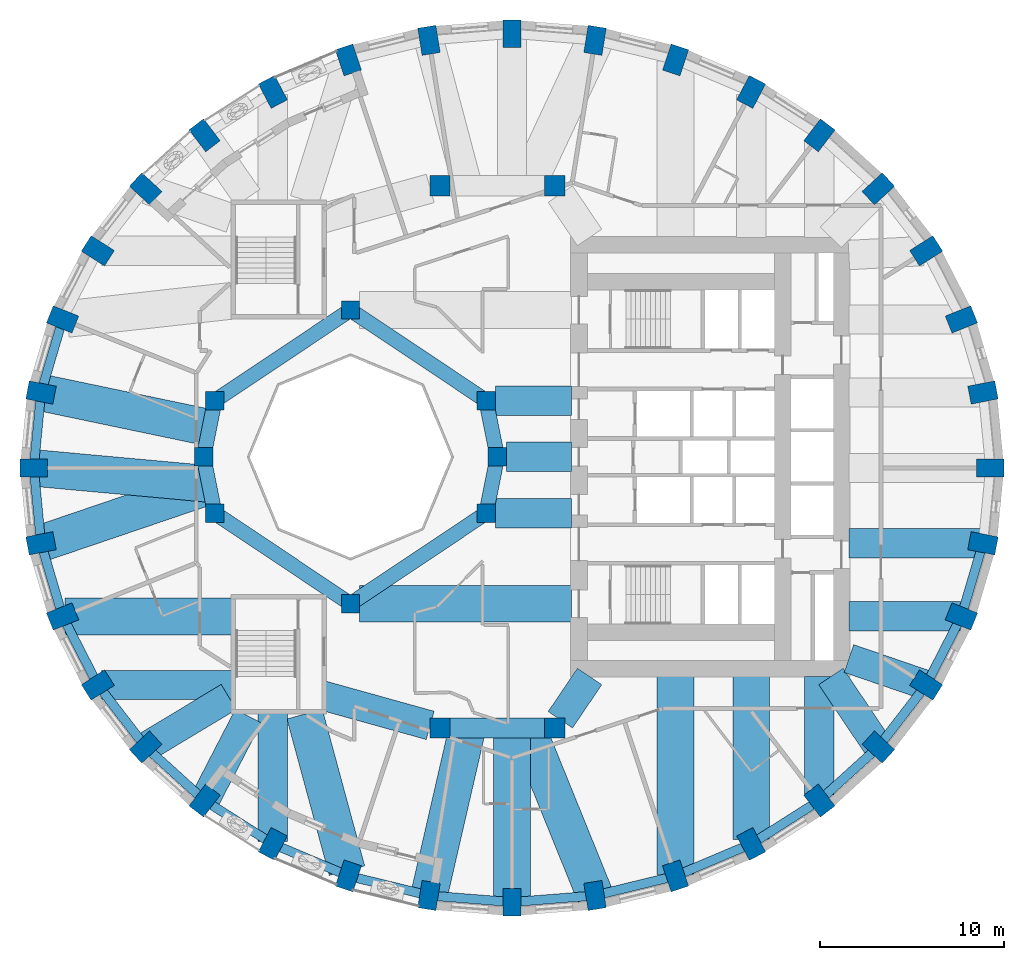
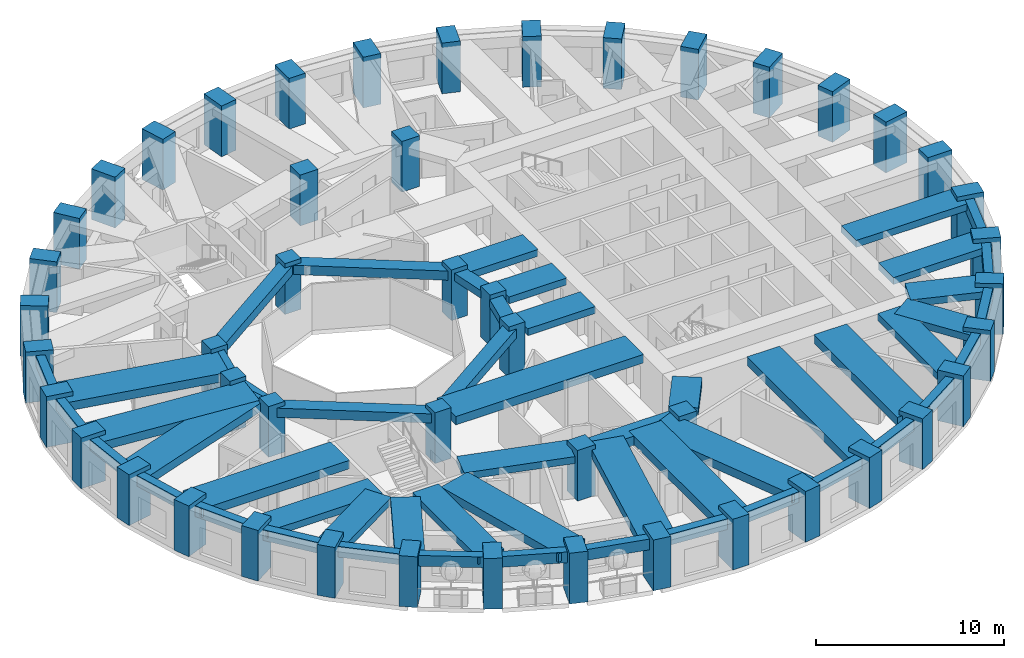
# One storey, part 1 of 12: 53 beams, 48 columns.
"""IFC4 building model written with IfcOpenShell, lengths in metres."""

import ifcopenshell
import ifcopenshell.guid

model = None  # the IFC model being written
_history = None  # IfcOwnerHistory: only IFC2X3 demands one
_inside = {}  # id of a spatial element -> (the spatial element, [elements in it])
_under = {}  # id of a project, library or spatial element -> (it, [spatial elements below it])
_declared = {}  # id of a project -> (the project, [libraries it declares])
_typed = {}  # id of a type object -> (the type object, [elements of that type])
_made_of = {}  # id of a material, layer set ... -> (it, [elements and type objects made of it])


def new_model(schema):
    """Start an empty IFC model of exactly this schema.

    Asked for "IFC4X3", IfcOpenShell would pick the latest addendum, in which some entities
    have other attributes; the version numbers below select the first issue.
    IFC2X3 requires an IfcOwnerHistory on every rooted entity: one is made here for all.
    """
    global model, _history
    if schema == "IFC4X3":
        model = ifcopenshell.file(schema_version=(4, 3, 0, 0))
    else:
        model = ifcopenshell.file(schema=schema)
    _inside.clear()
    _under.clear()
    _declared.clear()
    _typed.clear()
    _made_of.clear()
    _history = None
    if model.schema == "IFC2X3":
        org = make("IfcOrganization", Name="unknown")
        user = make(
            "IfcPersonAndOrganization",
            ThePerson=make("IfcPerson", FamilyName="unknown"),
            TheOrganization=org,
        )
        app = make(
            "IfcApplication",
            ApplicationDeveloper=org,
            Version="unknown",
            ApplicationFullName="unknown",
            ApplicationIdentifier="unknown",
        )
        _history = make(
            "IfcOwnerHistory",
            OwningUser=user,
            OwningApplication=app,
            ChangeAction="ADDED",
            CreationDate=0,
        )
    return model


def make(cls, **values):
    """One entity of the class cls with the attributes given. An attribute that is None is left unset."""
    return model.create_entity(
        cls, **{name: value for name, value in values.items() if value is not None}
    )


def rooted(cls, **values):
    """An entity with a GlobalId (a new one), such as an element, a storey or a relation."""
    return make(cls, GlobalId=ifcopenshell.guid.new(), OwnerHistory=_history, **values)


def si_unit(unit_type, name, prefix=None):
    """IfcSIUnit, for example si_unit("LENGTHUNIT", "METRE", prefix="MILLI")."""
    return make("IfcSIUnit", UnitType=unit_type, Prefix=prefix, Name=name)


def assignment(units):
    """IfcUnitAssignment: the units of a project."""
    return None if units is None else make("IfcUnitAssignment", Units=units)


def point(xyz):
    """IfcCartesianPoint."""
    return None if xyz is None else make("IfcCartesianPoint", Coordinates=xyz)


def direction(xyz):
    """IfcDirection."""
    return None if xyz is None else make("IfcDirection", DirectionRatios=xyz)


def frame(location, z_axis=None, x_axis=None):
    """IfcAxis2Placement3D, a coordinate frame: its origin and axes. An axis left out is left unset."""
    return make(
        "IfcAxis2Placement3D",
        Location=point(location),
        Axis=direction(z_axis),
        RefDirection=direction(x_axis),
    )


def frame_2d(location, x_axis=None):
    """IfcAxis2Placement2D, a coordinate frame in the plane: its origin and x axis."""
    return make(
        "IfcAxis2Placement2D", Location=point(location), RefDirection=direction(x_axis)
    )


def origin():
    """The frame at (0, 0, 0) with its axes left unset."""
    return frame((0.0, 0.0, 0.0))


def origin_2d():
    """The frame at (0, 0) in the plane with its x axis left unset."""
    return frame_2d((0.0, 0.0))


def place(relative_to, where):
    """IfcLocalPlacement: puts the frame where relative to a parent placement (None: the world)."""
    return make(
        "IfcLocalPlacement", PlacementRelTo=relative_to, RelativePlacement=where
    )


def context(
    kind, dimensions, precision=None, world=None, true_north=None, identifier=None
):
    """IfcGeometricRepresentationContext, for example the 3D "Model" context."""
    return make(
        "IfcGeometricRepresentationContext",
        ContextIdentifier=identifier,
        ContextType=kind,
        CoordinateSpaceDimension=dimensions,
        Precision=precision,
        WorldCoordinateSystem=world,
        TrueNorth=true_north,
    )


def subcontext(parent, identifier, kind, view, scale=None):
    """IfcGeometricRepresentationSubContext, for example "Body" below "Model"."""
    return make(
        "IfcGeometricRepresentationSubContext",
        ContextIdentifier=identifier,
        ContextType=kind,
        ParentContext=parent,
        TargetScale=scale,
        TargetView=view,
    )


def project(units=None, contexts=None):
    """IfcProject with its units and contexts."""
    return rooted(
        "IfcProject",
        Name="project",
        RepresentationContexts=contexts,
        UnitsInContext=assignment(units),
    )


def spatial(cls, under=None, at=None, **own):
    """A site, building, storey or space (cls), placed at a placement, below another one or the project."""
    s = rooted(cls, ObjectPlacement=at, **own)
    if under is not None:
        _under.setdefault(under.id(), (under, []))[1].append(s)
    return s


def profile(cls, at=None, kind="AREA", **sizes):
    """A parametric profile (cls). Its sizes go by their IFC names, for example OverallWidth=200.0."""
    return make(cls, ProfileType=kind, Position=at, **sizes)


def rectangle(**sizes):
    """IfcRectangleProfileDef."""
    return profile("IfcRectangleProfileDef", **sizes)


def extrude(swept, where, along, depth):
    """IfcExtrudedAreaSolid: the profile swept, set in the frame where, extruded along a direction by depth."""
    return make(
        "IfcExtrudedAreaSolid",
        SweptArea=swept,
        Position=where,
        ExtrudedDirection=direction(along),
        Depth=depth,
    )


def shape(context_of_items, identifier, shape_type, items):
    """IfcShapeRepresentation: the items that make up one representation, for example the "Body"."""
    return make(
        "IfcShapeRepresentation",
        ContextOfItems=context_of_items,
        RepresentationIdentifier=identifier,
        RepresentationType=shape_type,
        Items=items,
    )


def material(Name=None, Category=None):
    """IfcMaterial."""
    return make("IfcMaterial", Name=Name, Category=Category)


def material_profile(
    of_material, cross_section, Name=None, Category=None, Priority=None
):
    """IfcMaterialProfile: a cross section and its material."""
    return make(
        "IfcMaterialProfile",
        Name=Name,
        Material=of_material,
        Profile=cross_section,
        Priority=Priority,
        Category=Category,
    )


def profile_set(profiles, Name=None, composite=None):
    """IfcMaterialProfileSet."""
    return make(
        "IfcMaterialProfileSet",
        Name=Name,
        MaterialProfiles=profiles,
        CompositeProfile=composite,
    )


def made_of(thing, what):
    """Note that an element or type object is made of a material, layer set ...; save() writes the relation."""
    if what is not None:
        _made_of.setdefault(what.id(), (what, []))[1].append(thing)
    return thing


def type_object(cls, material=None, **own):
    """A type object (cls), such as IfcWallType, which elements share."""
    return made_of(rooted(cls, **own), material)


def element(
    cls,
    number,
    at=None,
    inside=None,
    cuts=None,
    type_object=None,
    material=None,
    context=None,
    identifier="Body",
    shape_type=None,
    held_by="IfcProductDefinitionShape",
    body=None,
    shapes=None,
    **own,
):
    """One element of the class cls, such as IfcWall. Its Tag is "e" and its number.

    at: its placement. inside: the storey or other place that contains it. cuts: it is an
    opening in that element (IfcRelVoidsElement). A single representation is given by context,
    identifier, shape_type and body (its items); several are given by shapes. held_by: the class
    of the entity that holds the representations. save() writes the other relations.
    """
    e = rooted(cls, Tag="e%d" % number, ObjectPlacement=at, **own)
    if body is not None:
        shapes = [shape(context, identifier, shape_type, body)]
    if shapes is not None:
        e.Representation = make(held_by, Representations=shapes)
    if inside is not None:
        _inside.setdefault(inside.id(), (inside, []))[1].append(e)
    if cuts is not None:
        rooted(
            "IfcRelVoidsElement", RelatingBuildingElement=cuts, RelatedOpeningElement=e
        )
    if type_object is not None:
        _typed.setdefault(type_object.id(), (type_object, []))[1].append(e)
    return made_of(e, material)


def aggregate(whole, parts):
    """IfcRelAggregates: a whole, such as a stair, and the parts it consists of."""
    return rooted("IfcRelAggregates", RelatingObject=whole, RelatedObjects=parts)


def save(model, path):
    """Write the relations noted so far, then the file.

    IfcRelAggregates (storeys below a building ...), IfcRelContainedInSpatialStructure (elements
    in a storey), IfcRelDefinesByType, IfcRelAssociatesMaterial and IfcRelDeclares: one each for
    every whole, place, type object, material and project.
    """
    for whole, parts in _under.values():
        aggregate(whole, parts)
    for where, things in _inside.values():
        rooted(
            "IfcRelContainedInSpatialStructure",
            RelatedElements=things,
            RelatingStructure=where,
        )
    for kind, things in _typed.values():
        rooted("IfcRelDefinesByType", RelatedObjects=things, RelatingType=kind)
    for what, things in _made_of.values():
        rooted("IfcRelAssociatesMaterial", RelatedObjects=things, RelatingMaterial=what)
    for by, libraries in _declared.values():
        rooted("IfcRelDeclares", RelatingContext=by, RelatedDefinitions=libraries)
    model.write(path)


model = new_model("IFC4")

# Units and contexts
model_context = context("Model", 3, precision=1e-05, world=origin(), true_north=direction((0.0, 1.0)))
body_context = subcontext(model_context, "Body", "Model", "MODEL_VIEW")
ifc_project = project(units=[si_unit("LENGTHUNIT", "METRE"), si_unit("AREAUNIT", "SQUARE_METRE"), si_unit("VOLUMEUNIT", "CUBIC_METRE"), si_unit("PLANEANGLEUNIT", "RADIAN"), si_unit("MASSUNIT", "GRAM", prefix="KILO")], contexts=[model_context])

# Site, building, storey
site_placement = place(None, origin())
site = spatial("IfcSite", under=ifc_project, at=site_placement, CompositionType="ELEMENT")
building_placement = place(site_placement, origin())
building = spatial("IfcBuilding", under=site, at=building_placement, Name="Taillehof Tower", CompositionType="ELEMENT")
storey_placement = place(building_placement, frame((0.0, 0.0, 125.199951171875)))
storey = spatial("IfcBuildingStorey", under=building, at=storey_placement, Name="L35", CompositionType="ELEMENT", Elevation=125.199951171875)

# Columns
ifc_material_1 = material(Name="Concrete C50/60", Category="concrete")
ifc_material_profile_1 = material_profile(ifc_material_1, rectangle(XDim=1.0, YDim=1.0, at=origin_2d()), Name="RC 1000x1000")
ifc_profile_set_1 = profile_set([ifc_material_profile_1], Name="Concrete C50/60")
column_type_1 = type_object("IfcColumnType", Name="Atrium ring column C50/60 1000x1000", PredefinedType="COLUMN", material=ifc_profile_set_1)
for number, where, z_axis, x_axis, name in (
    (1, (0.0, 0.0, 0.0), (0.0, 0.0, 1.0), (1.0, 0.0, 0.0), "Column AC01"),
    (2, (-0.60888671875, 3.0615234375, 0.0), (0.0, 0.0, 1.0), (1.0, 0.0, 0.0), "Column AC02"),
    (3, (-8.0, 8.0, 0.0), (0.0, 0.0, 1.0), (1.0, 0.0, 0.0), "Column AC05"),
    (4, (-15.39111328125, 3.0615234375, 0.0), (0.0, 0.0, 1.0), (1.0, 0.0, 0.0), "Column AC08"),
    (5, (-16.0, 0.0, 0.0), (0.0, 0.0, 1.0), (1.0, 0.0, 0.0), "Column AC09"),
    (6, (-15.39111328125, -3.0615234375, 0.0), (0.0, 0.0, 1.0), (1.0, 0.0, 0.0), "Column AC10"),
    (7, (-8.0, -8.0, 0.0), (0.0, 0.0, 1.0), (1.0, 0.0, 0.0), "Column AC13"),
    (8, (-0.60888671875, -3.0615234375, 0.0), (0.0, 0.0, 1.0), (1.0, 0.0, 0.0), "Column AC16"),
):
    element("IfcColumn", number, at=place(storey_placement, frame(where, z_axis=z_axis, x_axis=x_axis)), inside=storey, type_object=column_type_1, Name=name, PredefinedType="COLUMN", context=body_context, shape_type="SweptSolid", body=[
        extrude(rectangle(XDim=1.0, YDim=1.0, at=origin_2d()), origin(), (0.0, 0.0, 1.0), 3.300048828125),
    ])
ifc_material_2 = material(Name="Concrete C50/60", Category="concrete")
ifc_material_profile_2 = material_profile(ifc_material_2, rectangle(XDim=1.10009765625, YDim=1.10009765625, at=origin_2d()), Name="RC 1100x1100")
ifc_profile_set_2 = profile_set([ifc_material_profile_2], Name="Concrete C50/60")
column_type_2 = type_object("IfcColumnType", Name="Mid-ring column C50/60 1100x1100", PredefinedType="COLUMN", material=ifc_profile_set_2)
for number, where, z_axis, x_axis, name in (
    (9, (3.125732421875, 14.772216796875, 0.0), (0.0, 0.0, 1.0), (1.0, 0.0, 0.0), "Column MC05"),
    (10, (-3.125732421875, 14.772216796875, 0.0), (0.0, 0.0, 1.0), (1.0, 0.0, 0.0), "Column MC06"),
    (11, (-3.125732421875, -14.772216796875, 0.0), (0.0, 0.0, 1.0), (1.0, 0.0, 0.0), "Column MC14"),
    (12, (3.125732421875, -14.772216796875, 0.0), (0.0, 0.0, 1.0), (1.0, 0.0, 0.0), "Column MC15"),
):
    element("IfcColumn", number, at=place(storey_placement, frame(where, z_axis=z_axis, x_axis=x_axis)), inside=storey, type_object=column_type_2, Name=name, PredefinedType="COLUMN", context=body_context, shape_type="SweptSolid", body=[
        extrude(rectangle(XDim=1.10009765625, YDim=1.10009765625, at=origin_2d()), origin(), (0.0, 0.0, 1.0), 3.300048828125),
    ])
ifc_material_3 = material(Name="Concrete C70/85", Category="concrete")
ifc_material_profile_3 = material_profile(ifc_material_3, rectangle(XDim=1.5, YDim=1.0, at=origin_2d()), Name="RC 1500x1000")
ifc_profile_set_3 = profile_set([ifc_material_profile_3], Name="Concrete C70/85")
column_type_3 = type_object("IfcColumnType", Name="Ring column C70/85 1500x1000", PredefinedType="COLUMN", material=ifc_profile_set_3)
for number, where, z_axis, x_axis, name in (
    (13, (26.85009765625, -0.60009765625, 0.0), (0.0, 0.0, 1.0), (1.0, 0.0, 0.0), "Ring column RC01"),
    (14, (26.454345703125, 3.5068359375, 0.0), (0.0, 0.0, 1.0), (0.981757466121, 0.190137523166, 0.0), "Ring column RC02"),
    (15, (25.279052734375, 7.48876953125, 0.0), (0.0, 0.0, 1.0), (0.928550110352, 0.371207075048, 0.0), "Ring column RC03"),
    (16, (23.35986328125, 11.22509765625, 0.0), (0.0, 0.0, 1.0), (0.844511454562, 0.535537489923, 0.0), "Ring column RC04"),
    (17, (20.75537109375, 14.60205078125, 0.0), (0.0, 0.0, 1.0), (0.735332034083, 0.677707016085, 0.0), "Ring column RC05"),
    (18, (17.544677734375, 17.516845703125, 0.0), (0.0, 0.0, 1.0), (0.607074228939, 0.794645128694, 0.0), "Ring column RC06"),
    (19, (13.824951171875, 19.881591796875, 0.0), (0.0, 0.0, 1.0), (0.465283017627, 0.885161970211, 0.0), "Ring column RC07"),
    (20, (9.709716796875, 21.623779296875, 0.0), (0.0, 0.0, 1.0), (0.314554972703, 0.949239258116, 0.0), "Ring column RC08"),
    (21, (5.323486328125, 22.690673828125, 0.0), (0.0, 0.0, 1.0), (0.158507038215, 0.987357847407, 0.0), "Ring column RC09"),
    (22, (0.800048828125, 23.050048828125, 0.0), (0.0, 0.0, 1.0), (0.0, 1.0, 0.0), "Ring column RC10"),
    (23, (-3.7236328125, 22.690673828125, 0.0), (0.0, 0.0, 1.0), (-0.158507038215, 0.987357847407, 0.0), "Ring column RC11"),
    (24, (-8.109619140625, 21.623779296875, 0.0), (0.0, 0.0, 1.0), (-0.314554972703, 0.949239258116, 0.0), "Ring column RC12"),
    (25, (-12.22509765625, 19.881591796875, 0.0), (0.0, 0.0, 1.0), (-0.465283017627, 0.885161970211, 0.0), "Ring column RC13"),
    (26, (-15.944580078125, 17.516845703125, 0.0), (0.0, 0.0, 1.0), (-0.607074228939, 0.794645128694, 0.0), "Ring column RC14"),
    (27, (-19.155517578125, 14.60205078125, 0.0), (0.0, 0.0, 1.0), (-0.735332034083, 0.677707016085, 0.0), "Ring column RC15"),
    (28, (-21.760009765625, 11.22509765625, 0.0), (0.0, 0.0, 1.0), (-0.844511454562, 0.535537489923, 0.0), "Ring column RC16"),
    (29, (-23.678955078125, 7.48876953125, 0.0), (0.0, 0.0, 1.0), (-0.928550110352, 0.371207075048, 0.0), "Ring column RC17"),
    (30, (-24.854248046875, 3.5068359375, 0.0), (0.0, 0.0, 1.0), (-0.981757466121, 0.190137523166, 0.0), "Ring column RC18"),
    (31, (-25.25, -0.60009765625, 0.0), (0.0, 0.0, 1.0), (-1.0, 0.0, 0.0), "Ring column RC19"),
    (32, (-24.854248046875, -4.706787109375, 0.0), (0.0, 0.0, 1.0), (-0.981757466121, -0.190137523166, 0.0), "Ring column RC20"),
    (33, (-23.678955078125, -8.688720703125, 0.0), (0.0, 0.0, 1.0), (-0.928550110352, -0.371207075048, 0.0), "Ring column RC21"),
    (34, (-21.760009765625, -12.425048828125, 0.0), (0.0, 0.0, 1.0), (-0.844511454562, -0.535537489923, 0.0), "Ring column RC22"),
    (35, (-19.155517578125, -15.802001953125, 0.0), (0.0, 0.0, 1.0), (-0.735332034083, -0.677707016085, 0.0), "Ring column RC23"),
    (36, (-15.944580078125, -18.717041015625, 0.0), (0.0, 0.0, 1.0), (-0.607074228939, -0.794645128694, 0.0), "Ring column RC24"),
    (37, (-12.22509765625, -21.08154296875, 0.0), (0.0, 0.0, 1.0), (-0.465283017627, -0.885161970211, 0.0), "Ring column RC25"),
    (38, (-8.109619140625, -22.82373046875, 0.0), (0.0, 0.0, 1.0), (-0.314554972703, -0.949239258116, 0.0), "Ring column RC26"),
    (39, (-3.7236328125, -23.890625, 0.0), (0.0, 0.0, 1.0), (-0.158507038215, -0.987357847407, 0.0), "Ring column RC27"),
    (40, (0.800048828125, -24.25, 0.0), (0.0, 0.0, 1.0), (0.0, -1.0, 0.0), "Ring column RC28"),
    (41, (5.323486328125, -23.890625, 0.0), (0.0, 0.0, 1.0), (0.158507038215, -0.987357847407, 0.0), "Ring column RC29"),
    (42, (9.709716796875, -22.82373046875, 0.0), (0.0, 0.0, 1.0), (0.314554972703, -0.949239258116, 0.0), "Ring column RC30"),
    (43, (13.824951171875, -21.08154296875, 0.0), (0.0, 0.0, 1.0), (0.465283017627, -0.885161970211, 0.0), "Ring column RC31"),
    (44, (17.544677734375, -18.717041015625, 0.0), (0.0, 0.0, 1.0), (0.607074228939, -0.794645128694, 0.0), "Ring column RC32"),
    (45, (20.75537109375, -15.802001953125, 0.0), (0.0, 0.0, 1.0), (0.735332034083, -0.677707016085, 0.0), "Ring column RC33"),
    (46, (23.35986328125, -12.425048828125, 0.0), (0.0, 0.0, 1.0), (0.844511454562, -0.535537489923, 0.0), "Ring column RC34"),
    (47, (25.279052734375, -8.688720703125, 0.0), (0.0, 0.0, 1.0), (0.928550110352, -0.371207075048, 0.0), "Ring column RC35"),
    (48, (26.454345703125, -4.706787109375, 0.0), (0.0, 0.0, 1.0), (0.981757466121, -0.190137523166, 0.0), "Ring column RC36"),
):
    element("IfcColumn", number, at=place(storey_placement, frame(where, z_axis=z_axis, x_axis=x_axis)), inside=storey, type_object=column_type_3, Name=name, PredefinedType="COLUMN", context=body_context, shape_type="SweptSolid", body=[
        extrude(rectangle(XDim=1.5, YDim=1.0, at=origin_2d()), origin(), (0.0, 0.0, 1.0), 3.300048828125),
    ])

# Beams
ifc_material_4 = material(Name="Concrete C50/60", Category="concrete")
ifc_material_profile_4 = material_profile(ifc_material_4, rectangle(XDim=0.800048828125, YDim=0.5, at=origin_2d()), Name="RC 800x500")
ifc_profile_set_4 = profile_set([ifc_material_profile_4], Name="Concrete C50/60")
beam_type_1 = type_object("IfcBeamType", Name="Atrium ring beam C50/60 800x500", PredefinedType="BEAM", material=ifc_profile_set_4)
for number, where, z_axis, x_axis, name in (
    (49, (0.0, 0.0, 2.77001953125), (-0.195063155143, 0.980790683839, 0.0), (-0.980790683839, -0.195063155143, 0.0), "Atrium ring beam AB01"),
    (50, (-15.39111328125, 3.0615234375, 2.77001953125), (-0.195063155143, -0.980790683839, 0.0), (0.980790683839, -0.195063155143, 0.0), "Atrium ring beam AB04"),
    (51, (-16.0, 0.0, 2.77001953125), (0.195063155143, -0.980790683839, 0.0), (0.980790683839, 0.195063155143, 0.0), "Atrium ring beam AB05"),
    (52, (-0.60888671875, -3.0615234375, 2.77001953125), (0.195063155143, 0.980790683839, 0.0), (-0.980790683839, 0.195063155143, 0.0), "Atrium ring beam AB08"),
):
    element("IfcBeam", number, at=place(storey_placement, frame(where, z_axis=z_axis, x_axis=x_axis)), inside=storey, type_object=beam_type_1, Name=name, PredefinedType="BEAM", context=body_context, shape_type="SweptSolid", body=[
        extrude(rectangle(XDim=0.800048828125, YDim=0.5, at=origin_2d()), origin(), (0.0, 0.0, 1.0), 3.12158203125),
    ])
ifc_material_5 = material(Name="Concrete C50/60", Category="concrete")
ifc_material_profile_5 = material_profile(ifc_material_5, rectangle(XDim=0.800048828125, YDim=0.60009765625, at=origin_2d()), Name="RC 800x600")
ifc_profile_set_5 = profile_set([ifc_material_profile_5], Name="Concrete C50/60")
beam_type_2 = type_object("IfcBeamType", Name="Atrium ring beam C50/60 800x600", PredefinedType="BEAM", material=ifc_profile_set_5)
for number, where, z_axis, x_axis, name in (
    (53, (-0.60888671875, 3.0615234375, 2.719970703125), (-0.831475195687, 0.555561876804, 0.0), (-0.555561876804, -0.831475195687, 0.0), "Atrium ring beam AB02"),
    (54, (-8.0, 8.0, 2.719970703125), (-0.831475195687, -0.555561876804, 0.0), (0.555561876804, -0.831475195687, 0.0), "Atrium ring beam AB03"),
    (55, (-15.39111328125, -3.0615234375, 2.719970703125), (0.831475195687, -0.555561876804, 0.0), (0.555561876804, 0.831475195687, 0.0), "Atrium ring beam AB06"),
    (56, (-8.0, -8.0, 2.719970703125), (0.831475195687, 0.555561876804, 0.0), (-0.555561876804, 0.831475195687, 0.0), "Atrium ring beam AB07"),
):
    element("IfcBeam", number, at=place(storey_placement, frame(where, z_axis=z_axis, x_axis=x_axis)), inside=storey, type_object=beam_type_2, Name=name, PredefinedType="BEAM", context=body_context, shape_type="SweptSolid", body=[
        extrude(rectangle(XDim=0.800048828125, YDim=0.60009765625, at=origin_2d()), origin(), (0.0, 0.0, 1.0), 8.88916015625),
    ])
ifc_material_6 = material(Name="Concrete C50/60", Category="concrete")
ifc_material_profile_6 = material_profile(ifc_material_6, rectangle(XDim=1.10009765625, YDim=0.60009765625, at=origin_2d()), Name="RC 1100x600")
ifc_profile_set_6 = profile_set([ifc_material_profile_6], Name="Concrete C50/60")
beam_type_3 = type_object("IfcBeamType", Name="Mid-ring beam C50/60 1100x600", PredefinedType="BEAM", material=ifc_profile_set_6)
beam_1_placement = place(storey_placement, frame((-3.125732421875, -14.772216796875, 2.719970703125), z_axis=(1.0, 0.0, 0.0), x_axis=(0.0, 1.0, 0.0)))
element("IfcBeam", 57, at=beam_1_placement, inside=storey, type_object=beam_type_3, Name="Mid-ring beam MB02", PredefinedType="BEAM", context=body_context, shape_type="SweptSolid", body=[
    extrude(rectangle(XDim=1.10009765625, YDim=0.60009765625, at=origin_2d()), origin(), (0.0, 0.0, 1.0), 6.25146484375),
])
ifc_material_7 = material(Name="Concrete C50/60", Category="concrete")
ifc_material_profile_7 = material_profile(ifc_material_7, rectangle(XDim=1.60009765625, YDim=0.449951171875, at=origin_2d()), Name="RC 1600x450")
ifc_profile_set_7 = profile_set([ifc_material_profile_7], Name="Concrete C50/60")
beam_type_4 = type_object("IfcBeamType", Name="Radial band beam C50/60 1600x450", PredefinedType="BEAM", material=ifc_profile_set_7)
beam_2_placement = place(storey_placement, frame((-21.54736328125, -12.425048828125, 2.795166015625), z_axis=(1.0, 0.0, 0.0), x_axis=(0.0, 1.0, 0.0)))
element("IfcBeam", 58, at=beam_2_placement, inside=storey, type_object=beam_type_4, Name="Radial band beam RB22", PredefinedType="BEAM", context=body_context, shape_type="SweptSolid", body=[
    extrude(rectangle(XDim=1.60009765625, YDim=0.449951171875, at=origin_2d()), origin(), (0.0, 0.0, 1.0), 7.097412109375),
])
beam_3_placement = place(storey_placement, frame((-19.155517578125, -15.802001953125, 2.795166015625), z_axis=(0.856794973818, 0.515657224171, 0.0), x_axis=(-0.515657224171, 0.856794973818, 0.0)))
element("IfcBeam", 59, at=beam_3_placement, inside=storey, type_object=beam_type_4, Name="Radial band beam RB23", PredefinedType="BEAM", context=body_context, shape_type="SweptSolid", body=[
    extrude(rectangle(XDim=1.60009765625, YDim=0.449951171875, at=origin_2d()), origin(), (0.0, 0.0, 1.0), 5.28369140625),
])
beam_4_placement = place(storey_placement, frame((-15.944580078125, -18.717041015625, 2.795166015625), z_axis=(0.460119038647, 0.8878572353, 0.0), x_axis=(-0.8878572353, 0.460119038647, 0.0)))
element("IfcBeam", 60, at=beam_4_placement, inside=storey, type_object=beam_type_4, Name="Radial band beam RB24", PredefinedType="BEAM", context=body_context, shape_type="SweptSolid", body=[
    extrude(rectangle(XDim=1.60009765625, YDim=0.449951171875, at=origin_2d()), origin(), (0.0, 0.0, 1.0), 5.1796875),
])
beam_5_placement = place(storey_placement, frame((-12.22509765625, -20.9443359375, 2.795166015625), z_axis=(0.0, 1.0, 0.0), x_axis=(-1.0, 0.0, 0.0)))
element("IfcBeam", 61, at=beam_5_placement, inside=storey, type_object=beam_type_4, Name="Radial band beam RB25", PredefinedType="BEAM", context=body_context, shape_type="SweptSolid", body=[
    extrude(rectangle(XDim=1.60009765625, YDim=0.449951171875, at=origin_2d()), origin(), (0.0, 0.0, 1.0), 6.994384765625),
])
beam_6_placement = place(storey_placement, frame((17.544677734375, -18.421875, 2.795166015625), z_axis=(0.0, 1.0, 0.0), x_axis=(-1.0, 0.0, 0.0)))
element("IfcBeam", 62, at=beam_6_placement, inside=storey, type_object=beam_type_4, Name="Radial band beam RB32", PredefinedType="BEAM", context=body_context, shape_type="SweptSolid", body=[
    extrude(rectangle(XDim=1.60009765625, YDim=0.449951171875, at=origin_2d()), origin(), (0.0, 0.0, 1.0), 6.471923828125),
])
beam_7_placement = place(storey_placement, frame((20.75537109375, -15.802001953125, 2.795166015625), z_axis=(-0.557822939952, 0.829959979555, 0.0), x_axis=(-0.829959979555, -0.557822939952, 0.0)))
element("IfcBeam", 63, at=beam_7_placement, inside=storey, type_object=beam_type_4, Name="Radial band beam RB33", PredefinedType="BEAM", context=body_context, shape_type="SweptSolid", body=[
    extrude(rectangle(XDim=1.60009765625, YDim=0.449951171875, at=origin_2d()), origin(), (0.0, 0.0, 1.0), 4.630859375),
])
beam_8_placement = place(storey_placement, frame((23.35986328125, -12.425048828125, 2.795166015625), z_axis=(-0.946037817118, 0.324056242932, 0.0), x_axis=(-0.324056242932, -0.946037817118, 0.0)))
element("IfcBeam", 64, at=beam_8_placement, inside=storey, type_object=beam_type_4, Name="Radial band beam RB34", PredefinedType="BEAM", context=body_context, shape_type="SweptSolid", body=[
    extrude(rectangle(XDim=1.60009765625, YDim=0.449951171875, at=origin_2d()), origin(), (0.0, 0.0, 1.0), 4.447265625),
])
beam_9_placement = place(storey_placement, frame((25.2275390625, -8.688720703125, 2.795166015625), z_axis=(-1.0, 0.0, 0.0), x_axis=(0.0, -1.0, 0.0)))
element("IfcBeam", 65, at=beam_9_placement, inside=storey, type_object=beam_type_4, Name="Radial band beam RB35", PredefinedType="BEAM", context=body_context, shape_type="SweptSolid", body=[
    extrude(rectangle(XDim=1.60009765625, YDim=0.449951171875, at=origin_2d()), origin(), (0.0, 0.0, 1.0), 6.07763671875),
])
beam_10_placement = place(storey_placement, frame((26.454345703125, -4.706787109375, 2.795166015625), z_axis=(-1.0, 0.0, 0.0), x_axis=(0.0, -1.0, 0.0)))
element("IfcBeam", 66, at=beam_10_placement, inside=storey, type_object=beam_type_4, Name="Radial band beam RB36", PredefinedType="BEAM", context=body_context, shape_type="SweptSolid", body=[
    extrude(rectangle(XDim=1.60009765625, YDim=0.449951171875, at=origin_2d()), origin(), (0.0, 0.0, 1.0), 7.304443359375),
])
beam_11_placement = place(storey_placement, frame((0.5, 0.0, 2.795166015625), z_axis=(1.0, 0.0, 0.0), x_axis=(0.0, 1.0, 0.0)))
element("IfcBeam", 67, at=beam_11_placement, inside=storey, type_object=beam_type_4, Name="Inner band beam IB101", PredefinedType="BEAM", context=body_context, shape_type="SweptSolid", body=[
    extrude(rectangle(XDim=1.60009765625, YDim=0.449951171875, at=origin_2d()), origin(), (0.0, 0.0, 1.0), 3.550048828125),
])
for number, where, z_axis, x_axis, name in (
    (68, (-0.10888671875, 3.0615234375, 2.795166015625), (1.0, 0.0, 0.0), (0.0, 1.0, 0.0), "Inner band beam IB102"),
    (69, (-0.10888671875, -3.0615234375, 2.795166015625), (1.0, 0.0, 0.0), (0.0, 1.0, 0.0), "Inner band beam IB116"),
):
    element("IfcBeam", number, at=place(storey_placement, frame(where, z_axis=z_axis, x_axis=x_axis)), inside=storey, type_object=beam_type_4, Name=name, PredefinedType="BEAM", context=body_context, shape_type="SweptSolid", body=[
        extrude(rectangle(XDim=1.60009765625, YDim=0.449951171875, at=origin_2d()), origin(), (0.0, 0.0, 1.0), 4.158935546875),
    ])
beam_12_placement = place(storey_placement, frame((-3.655517578125, -14.624755859375, 2.795166015625), z_axis=(-0.963459369536, 0.267854518821, 0.0), x_axis=(-0.267854518821, -0.963459369536, 0.0)))
element("IfcBeam", 70, at=beam_12_placement, inside=storey, type_object=beam_type_4, Name="Inner band beam IB214", PredefinedType="BEAM", context=body_context, shape_type="SweptSolid", body=[
    extrude(rectangle(XDim=1.60009765625, YDim=0.449951171875, at=origin_2d()), origin(), (0.0, 0.0, 1.0), 6.096923828125),
])
beam_13_placement = place(storey_placement, frame((3.433837890625, -14.31640625, 2.795166015625), z_axis=(0.560112043398, 0.828416862962, 0.0), x_axis=(-0.828416862962, 0.560112043398, 0.0)))
element("IfcBeam", 71, at=beam_13_placement, inside=storey, type_object=beam_type_4, Name="Inner band beam IB215", PredefinedType="BEAM", context=body_context, shape_type="SweptSolid", body=[
    extrude(rectangle(XDim=1.60009765625, YDim=0.449951171875, at=origin_2d()), origin(), (0.0, 0.0, 1.0), 2.84619140625),
])
ifc_material_8 = material(Name="Concrete C50/60", Category="concrete")
ifc_material_profile_8 = material_profile(ifc_material_8, rectangle(XDim=2.0, YDim=0.550048828125, at=origin_2d()), Name="RC 2000x550")
ifc_profile_set_8 = profile_set([ifc_material_profile_8], Name="Concrete C50/60")
beam_type_5 = type_object("IfcBeamType", Name="Radial band beam C50/60 2000x550", PredefinedType="BEAM", material=ifc_profile_set_8)
beam_14_placement = place(storey_placement, frame((-24.854248046875, 3.5068359375, 2.7451171875), z_axis=(0.978853404319, -0.204562980164, 0.0), x_axis=(0.204562980164, 0.978853404319, 0.0)))
element("IfcBeam", 72, at=beam_14_placement, inside=storey, type_object=beam_type_5, Name="Radial band beam RB18", PredefinedType="BEAM", context=body_context, shape_type="SweptSolid", body=[
    extrude(rectangle(XDim=2.0, YDim=0.550048828125, at=origin_2d()), origin(), (0.0, 0.0, 1.0), 9.36865234375),
])
beam_15_placement = place(storey_placement, frame((-25.25, -0.60009765625, 2.7451171875), z_axis=(0.995859515154, -0.090905588816, 0.0), x_axis=(0.090905588816, 0.995859515154, 0.0)))
element("IfcBeam", 73, at=beam_15_placement, inside=storey, type_object=beam_type_5, Name="Radial band beam RB19", PredefinedType="BEAM", context=body_context, shape_type="SweptSolid", body=[
    extrude(rectangle(XDim=2.0, YDim=0.550048828125, at=origin_2d()), origin(), (0.0, 0.0, 1.0), 9.58251953125),
])
beam_16_placement = place(storey_placement, frame((-24.854248046875, -4.706787109375, 2.7451171875), z_axis=(0.946822052625, 0.321757673822, 0.0), x_axis=(-0.321757673822, 0.946822052625, 0.0)))
element("IfcBeam", 74, at=beam_16_placement, inside=storey, type_object=beam_type_5, Name="Radial band beam RB20", PredefinedType="BEAM", context=body_context, shape_type="SweptSolid", body=[
    extrude(rectangle(XDim=2.0, YDim=0.550048828125, at=origin_2d()), origin(), (0.0, 0.0, 1.0), 9.685791015625),
])
beam_17_placement = place(storey_placement, frame((-23.54736328125, -8.688720703125, 2.7451171875), z_axis=(1.0, 0.0, 0.0), x_axis=(0.0, 1.0, 0.0)))
element("IfcBeam", 75, at=beam_17_placement, inside=storey, type_object=beam_type_5, Name="Radial band beam RB21", PredefinedType="BEAM", context=body_context, shape_type="SweptSolid", body=[
    extrude(rectangle(XDim=2.0, YDim=0.550048828125, at=origin_2d()), origin(), (0.0, 0.0, 1.0), 9.097412109375),
])
beam_18_placement = place(storey_placement, frame((-8.186767578125, -22.539306640625, 2.7451171875), z_axis=(-0.261461600872, 0.965213878511, 0.0), x_axis=(-0.965213878511, -0.261461600872, 0.0)))
element("IfcBeam", 76, at=beam_18_placement, inside=storey, type_object=beam_type_5, Name="Radial band beam RB26", PredefinedType="BEAM", context=body_context, shape_type="SweptSolid", body=[
    extrude(rectangle(XDim=2.0, YDim=0.550048828125, at=origin_2d()), origin(), (0.0, 0.0, 1.0), 8.835205078125),
])
beam_19_placement = place(storey_placement, frame((-3.7236328125, -23.890625, 2.7451171875), z_axis=(0.224215346781, 0.974539623755, 0.0), x_axis=(-0.974539623755, 0.224215346781, 0.0)))
element("IfcBeam", 77, at=beam_19_placement, inside=storey, type_object=beam_type_5, Name="Radial band beam RB27", PredefinedType="BEAM", context=body_context, shape_type="SweptSolid", body=[
    extrude(rectangle(XDim=2.0, YDim=0.550048828125, at=origin_2d()), origin(), (0.0, 0.0, 1.0), 9.356689453125),
])
beam_20_placement = place(storey_placement, frame((0.800048828125, -24.25, 2.7451171875), z_axis=(0.0, 1.0, 0.0), x_axis=(-1.0, 0.0, 0.0)))
element("IfcBeam", 78, at=beam_20_placement, inside=storey, type_object=beam_type_5, Name="Radial band beam RB28", PredefinedType="BEAM", context=body_context, shape_type="SweptSolid", body=[
    extrude(rectangle(XDim=2.0, YDim=0.550048828125, at=origin_2d()), origin(), (0.0, 0.0, 1.0), 9.477783203125),
])
beam_21_placement = place(storey_placement, frame((5.323486328125, -23.890625, 2.7451171875), z_axis=(-0.375801287916, 0.926700270854, 0.0), x_axis=(-0.926700270854, -0.375801287916, 0.0)))
element("IfcBeam", 79, at=beam_21_placement, inside=storey, type_object=beam_type_5, Name="Radial band beam RB29", PredefinedType="BEAM", context=body_context, shape_type="SweptSolid", body=[
    extrude(rectangle(XDim=2.0, YDim=0.550048828125, at=origin_2d()), origin(), (0.0, 0.0, 1.0), 9.839599609375),
])
beam_22_placement = place(storey_placement, frame((9.709716796875, -22.756591796875, 2.7451171875), z_axis=(0.0, 1.0, 0.0), x_axis=(-1.0, 0.0, 0.0)))
element("IfcBeam", 80, at=beam_22_placement, inside=storey, type_object=beam_type_5, Name="Radial band beam RB30", PredefinedType="BEAM", context=body_context, shape_type="SweptSolid", body=[
    extrude(rectangle(XDim=2.0, YDim=0.550048828125, at=origin_2d()), origin(), (0.0, 0.0, 1.0), 10.806640625),
])
beam_23_placement = place(storey_placement, frame((13.824951171875, -20.839599609375, 2.7451171875), z_axis=(0.0, 1.0, 0.0), x_axis=(-1.0, 0.0, 0.0)))
element("IfcBeam", 81, at=beam_23_placement, inside=storey, type_object=beam_type_5, Name="Radial band beam RB31", PredefinedType="BEAM", context=body_context, shape_type="SweptSolid", body=[
    extrude(rectangle(XDim=2.0, YDim=0.550048828125, at=origin_2d()), origin(), (0.0, 0.0, 1.0), 8.8896484375),
])
beam_24_placement = place(storey_placement, frame((-7.5, -8.0, 2.7451171875), z_axis=(1.0, 0.0, 0.0), x_axis=(0.0, 1.0, 0.0)))
element("IfcBeam", 82, at=beam_24_placement, inside=storey, type_object=beam_type_5, Name="Inner band beam IB113", PredefinedType="BEAM", context=body_context, shape_type="SweptSolid", body=[
    extrude(rectangle(XDim=2.0, YDim=0.550048828125, at=origin_2d()), origin(), (0.0, 0.0, 1.0), 11.550048828125),
])
ifc_material_9 = material(Name="Concrete C50/60", Category="concrete")
ifc_material_profile_9 = material_profile(ifc_material_9, rectangle(XDim=0.5, YDim=0.699951171875, at=origin_2d()), Name="RC 500x700")
ifc_profile_set_9 = profile_set([ifc_material_profile_9], Name="Concrete C50/60")
beam_type_6 = type_object("IfcBeamType", Name="Spandrel beam C50/60 500x700", PredefinedType="SPANDREL", material=ifc_profile_set_9)
beam_25_placement = place(storey_placement, frame((-23.678955078125, 7.48876953125, 2.670166015625), z_axis=(-0.28308309012, -0.95909538842, 0.0), x_axis=(0.95909538842, -0.28308309012, 0.0)))
element("IfcBeam", 83, at=beam_25_placement, inside=storey, type_object=beam_type_6, Name="Spandrel beam SB17", PredefinedType="SPANDREL", context=body_context, shape_type="SweptSolid", body=[
    extrude(rectangle(XDim=0.5, YDim=0.699951171875, at=origin_2d()), origin(), (0.0, 0.0, 1.0), 4.15185546875),
])
beam_26_placement = place(storey_placement, frame((-24.854248046875, 3.5068359375, 2.670166015625), z_axis=(-0.095917608943, -0.995389276763, 0.0), x_axis=(0.995389276763, -0.095917608943, 0.0)))
element("IfcBeam", 84, at=beam_26_placement, inside=storey, type_object=beam_type_6, Name="Spandrel beam SB18", PredefinedType="SPANDREL", context=body_context, shape_type="SweptSolid", body=[
    extrude(rectangle(XDim=0.5, YDim=0.699951171875, at=origin_2d()), origin(), (0.0, 0.0, 1.0), 4.1259765625),
])
beam_27_placement = place(storey_placement, frame((-25.25, -0.60009765625, 2.670166015625), z_axis=(0.09592325873, -0.995388732323, 0.0), x_axis=(0.995388732323, 0.09592325873, 0.0)))
element("IfcBeam", 85, at=beam_27_placement, inside=storey, type_object=beam_type_6, Name="Spandrel beam SB19", PredefinedType="SPANDREL", context=body_context, shape_type="SweptSolid", body=[
    extrude(rectangle(XDim=0.5, YDim=0.699951171875, at=origin_2d()), origin(), (0.0, 0.0, 1.0), 4.125732421875),
])
beam_28_placement = place(storey_placement, frame((-24.854248046875, -4.706787109375, 2.670166015625), z_axis=(0.28308309012, -0.95909538842, 0.0), x_axis=(0.95909538842, 0.28308309012, 0.0)))
element("IfcBeam", 86, at=beam_28_placement, inside=storey, type_object=beam_type_6, Name="Spandrel beam SB20", PredefinedType="SPANDREL", context=body_context, shape_type="SweptSolid", body=[
    extrude(rectangle(XDim=0.5, YDim=0.699951171875, at=origin_2d()), origin(), (0.0, 0.0, 1.0), 4.15185546875),
])
beam_29_placement = place(storey_placement, frame((-23.678955078125, -8.688720703125, 2.670166015625), z_axis=(0.456859381733, -0.889538928503, 0.0), x_axis=(0.889538928503, 0.456859381733, 0.0)))
element("IfcBeam", 87, at=beam_29_placement, inside=storey, type_object=beam_type_6, Name="Spandrel beam SB21", PredefinedType="SPANDREL", context=body_context, shape_type="SweptSolid", body=[
    extrude(rectangle(XDim=0.5, YDim=0.699951171875, at=origin_2d()), origin(), (0.0, 0.0, 1.0), 4.2001953125),
])
beam_30_placement = place(storey_placement, frame((-21.760009765625, -12.425048828125, 2.670166015625), z_axis=(0.61071731561, -0.79184869793, 0.0), x_axis=(0.79184869793, 0.61071731561, 0.0)))
element("IfcBeam", 88, at=beam_30_placement, inside=storey, type_object=beam_type_6, Name="Spandrel beam SB22", PredefinedType="SPANDREL", context=body_context, shape_type="SweptSolid", body=[
    extrude(rectangle(XDim=0.5, YDim=0.699951171875, at=origin_2d()), origin(), (0.0, 0.0, 1.0), 4.2646484375),
])
beam_31_placement = place(storey_placement, frame((-19.155517578125, -15.802001953125, 2.670166015625), z_axis=(0.740398416885, -0.672168270803, 0.0), x_axis=(0.672168270803, 0.740398416885, 0.0)))
element("IfcBeam", 89, at=beam_31_placement, inside=storey, type_object=beam_type_6, Name="Spandrel beam SB23", PredefinedType="SPANDREL", context=body_context, shape_type="SweptSolid", body=[
    extrude(rectangle(XDim=0.5, YDim=0.699951171875, at=origin_2d()), origin(), (0.0, 0.0, 1.0), 4.336669921875),
])
beam_32_placement = place(storey_placement, frame((-15.944580078125, -18.717041015625, 2.670166015625), z_axis=(0.843912293293, -0.536481165773, 0.0), x_axis=(0.536481165773, 0.843912293293, 0.0)))
element("IfcBeam", 90, at=beam_32_placement, inside=storey, type_object=beam_type_6, Name="Spandrel beam SB24", PredefinedType="SPANDREL", context=body_context, shape_type="SweptSolid", body=[
    extrude(rectangle(XDim=0.5, YDim=0.699951171875, at=origin_2d()), origin(), (0.0, 0.0, 1.0), 4.407470703125),
])
beam_33_placement = place(storey_placement, frame((-12.22509765625, -21.08154296875, 2.670166015625), z_axis=(0.920885046825, -0.389834234688, 0.0), x_axis=(0.389834234688, 0.920885046825, 0.0)))
element("IfcBeam", 91, at=beam_33_placement, inside=storey, type_object=beam_type_6, Name="Spandrel beam SB25", PredefinedType="SPANDREL", context=body_context, shape_type="SweptSolid", body=[
    extrude(rectangle(XDim=0.5, YDim=0.699951171875, at=origin_2d()), origin(), (0.0, 0.0, 1.0), 4.468994140625),
])
beam_34_placement = place(storey_placement, frame((-8.109619140625, -22.82373046875, 2.670166015625), z_axis=(0.971665924588, -0.236358479847, 0.0), x_axis=(0.236358479847, 0.971665924588, 0.0)))
element("IfcBeam", 92, at=beam_34_placement, inside=storey, type_object=beam_type_6, Name="Spandrel beam SB26", PredefinedType="SPANDREL", context=body_context, shape_type="SweptSolid", body=[
    extrude(rectangle(XDim=0.5, YDim=0.699951171875, at=origin_2d()), origin(), (0.0, 0.0, 1.0), 4.513916015625),
])
beam_35_placement = place(storey_placement, frame((-3.7236328125, -23.890625, 2.670166015625), z_axis=(0.996859260648, -0.079193525375, 0.0), x_axis=(0.079193525375, 0.996859260648, 0.0)))
element("IfcBeam", 93, at=beam_35_placement, inside=storey, type_object=beam_type_6, Name="Spandrel beam SB27", PredefinedType="SPANDREL", context=body_context, shape_type="SweptSolid", body=[
    extrude(rectangle(XDim=0.5, YDim=0.699951171875, at=origin_2d()), origin(), (0.0, 0.0, 1.0), 4.537841796875),
])
beam_36_placement = place(storey_placement, frame((0.800048828125, -24.25, 2.670166015625), z_axis=(0.996858923208, 0.079197772828, 0.0), x_axis=(-0.079197772828, 0.996858923208, 0.0)))
element("IfcBeam", 94, at=beam_36_placement, inside=storey, type_object=beam_type_6, Name="Spandrel beam SB28", PredefinedType="SPANDREL", context=body_context, shape_type="SweptSolid", body=[
    extrude(rectangle(XDim=0.5, YDim=0.699951171875, at=origin_2d()), origin(), (0.0, 0.0, 1.0), 4.53759765625),
])
beam_37_placement = place(storey_placement, frame((5.323486328125, -23.890625, 2.670166015625), z_axis=(0.971668945916, 0.23634605887, 0.0), x_axis=(-0.23634605887, 0.971668945916, 0.0)))
element("IfcBeam", 95, at=beam_37_placement, inside=storey, type_object=beam_type_6, Name="Spandrel beam SB29", PredefinedType="SPANDREL", context=body_context, shape_type="SweptSolid", body=[
    extrude(rectangle(XDim=0.5, YDim=0.699951171875, at=origin_2d()), origin(), (0.0, 0.0, 1.0), 4.51416015625),
])
beam_38_placement = place(storey_placement, frame((9.709716796875, -22.82373046875, 2.670166015625), z_axis=(0.920876744153, 0.389853847074, 0.0), x_axis=(-0.389853847074, 0.920876744153, 0.0)))
element("IfcBeam", 96, at=beam_38_placement, inside=storey, type_object=beam_type_6, Name="Spandrel beam SB30", PredefinedType="SPANDREL", context=body_context, shape_type="SweptSolid", body=[
    extrude(rectangle(XDim=0.5, YDim=0.699951171875, at=origin_2d()), origin(), (0.0, 0.0, 1.0), 4.46875),
])
beam_39_placement = place(storey_placement, frame((13.824951171875, -21.08154296875, 2.670166015625), z_axis=(0.843928234947, 0.536456087914, 0.0), x_axis=(-0.536456087914, 0.843928234947, 0.0)))
element("IfcBeam", 97, at=beam_39_placement, inside=storey, type_object=beam_type_6, Name="Spandrel beam SB31", PredefinedType="SPANDREL", context=body_context, shape_type="SweptSolid", body=[
    extrude(rectangle(XDim=0.5, YDim=0.699951171875, at=origin_2d()), origin(), (0.0, 0.0, 1.0), 4.40771484375),
])
beam_40_placement = place(storey_placement, frame((17.544677734375, -18.717041015625, 2.670166015625), z_axis=(0.740372980414, 0.672196288202, 0.0), x_axis=(-0.672196288202, 0.740372980414, 0.0)))
element("IfcBeam", 98, at=beam_40_placement, inside=storey, type_object=beam_type_6, Name="Spandrel beam SB32", PredefinedType="SPANDREL", context=body_context, shape_type="SweptSolid", body=[
    extrude(rectangle(XDim=0.5, YDim=0.699951171875, at=origin_2d()), origin(), (0.0, 0.0, 1.0), 4.336669921875),
])
beam_41_placement = place(storey_placement, frame((20.75537109375, -15.802001953125, 2.670166015625), z_axis=(0.61071731561, 0.79184869793, 0.0), x_axis=(-0.79184869793, 0.61071731561, 0.0)))
element("IfcBeam", 99, at=beam_41_placement, inside=storey, type_object=beam_type_6, Name="Spandrel beam SB33", PredefinedType="SPANDREL", context=body_context, shape_type="SweptSolid", body=[
    extrude(rectangle(XDim=0.5, YDim=0.699951171875, at=origin_2d()), origin(), (0.0, 0.0, 1.0), 4.2646484375),
])
beam_42_placement = place(storey_placement, frame((23.35986328125, -12.425048828125, 2.670166015625), z_axis=(0.456905372708, 0.88951530644, 0.0), x_axis=(-0.88951530644, 0.456905372708, 0.0)))
element("IfcBeam", 100, at=beam_42_placement, inside=storey, type_object=beam_type_6, Name="Spandrel beam SB34", PredefinedType="SPANDREL", context=body_context, shape_type="SweptSolid", body=[
    extrude(rectangle(XDim=0.5, YDim=0.699951171875, at=origin_2d()), origin(), (0.0, 0.0, 1.0), 4.200439453125),
])
beam_43_placement = place(storey_placement, frame((25.279052734375, -8.688720703125, 2.670166015625), z_axis=(0.28308309012, 0.95909538842, 0.0), x_axis=(-0.95909538842, 0.28308309012, 0.0)))
element("IfcBeam", 101, at=beam_43_placement, inside=storey, type_object=beam_type_6, Name="Spandrel beam SB35", PredefinedType="SPANDREL", context=body_context, shape_type="SweptSolid", body=[
    extrude(rectangle(XDim=0.5, YDim=0.699951171875, at=origin_2d()), origin(), (0.0, 0.0, 1.0), 4.15185546875),
])

save(model, "model.ifc")
